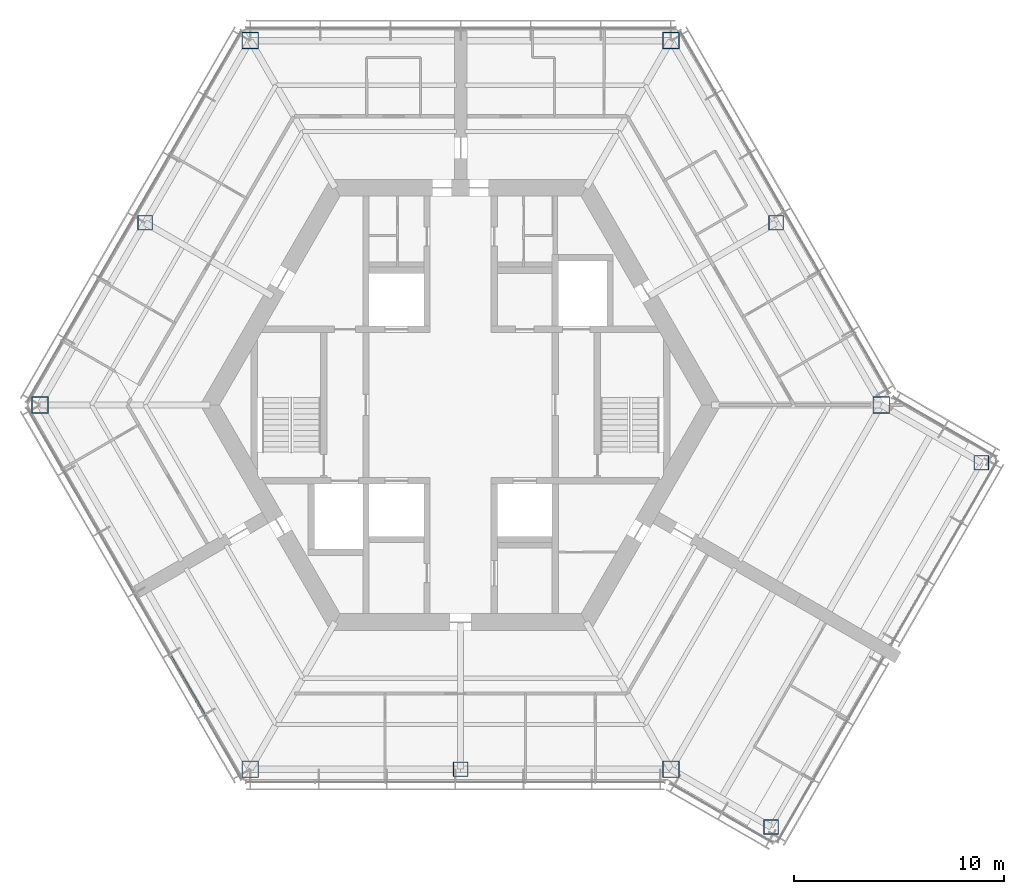
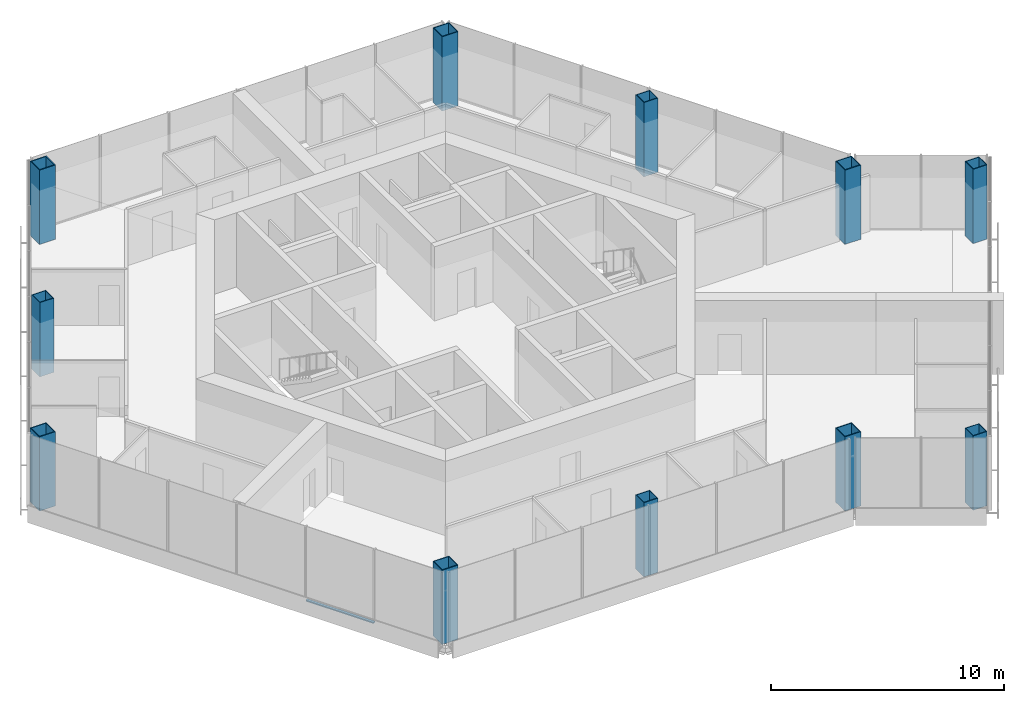
# One storey, part 1 of 13: 11 columns, 1 member, 1 element without a shape of its own.
"""IFC4 building model written with IfcOpenShell, lengths in metres."""

from ifc_helpers import new_model, si_unit, direction, frame, origin, origin_2d, place, context, subcontext, project, spatial, rectangle, hollow_rectangle, extrude, material, material_profile, profile_set, type_object, element, aggregate, save


model = new_model("IFC4")

# Units and contexts
model_context = context("Model", 3, precision=1e-05, world=origin(), true_north=direction((0.0, 1.0)))
body_context = subcontext(model_context, "Body", "Model", "MODEL_VIEW")
ifc_project = project(units=[si_unit("LENGTHUNIT", "METRE"), si_unit("AREAUNIT", "SQUARE_METRE"), si_unit("VOLUMEUNIT", "CUBIC_METRE"), si_unit("PLANEANGLEUNIT", "RADIAN"), si_unit("MASSUNIT", "GRAM", prefix="KILO")], contexts=[model_context])

# Site, building, storey
site_placement = place(None, origin())
site = spatial("IfcSite", under=ifc_project, at=site_placement, CompositionType="ELEMENT")
building_placement = place(site_placement, origin())
building = spatial("IfcBuilding", under=site, at=building_placement, Name="Kasaneha Research Tower", CompositionType="ELEMENT")
storey_placement = place(building_placement, frame((0.0, 0.0, 275.199951171875)))
storey = spatial("IfcBuildingStorey", under=building, at=storey_placement, Name="L69", CompositionType="ELEMENT", Elevation=275.199951171875)

# Columns
ifc_material_1 = material(Name="Steel SN490C", Category="steel")
ifc_material_profile_1 = material_profile(ifc_material_1, hollow_rectangle(XDim=0.800048828125, YDim=0.800048828125, WallThickness=0.0400390625, at=origin_2d()), Name="BOX-800x800x40")
ifc_profile_set_1 = profile_set([ifc_material_profile_1], Name="Steel SN490C")
column_type_1 = type_object("IfcColumnType", Name="C4A column BOX-800x800x40", PredefinedType="COLUMN", material=ifc_profile_set_1)
for number, where, z_axis, x_axis, name in (
    (1, (20.0, 0.0, 0.0), (0.0, 0.0, 1.0), (1.0, 0.0, 0.0), "Column V0 L69"),
    (2, (10.0, 17.320556640625, 0.0), (0.0, 0.0, 1.0), (1.0, 0.0, 0.0), "Column V1 L69"),
    (3, (-10.0, 17.320556640625, 0.0), (0.0, 0.0, 1.0), (1.0, 0.0, 0.0), "Column V2 L69"),
    (4, (-20.0, 0.0, 0.0), (0.0, 0.0, 1.0), (1.0, 0.0, 0.0), "Column V3 L69"),
    (5, (-10.0, -17.320556640625, 0.0), (0.0, 0.0, 1.0), (1.0, 0.0, 0.0), "Column V4 L69"),
    (6, (10.0, -17.320556640625, 0.0), (0.0, 0.0, 1.0), (1.0, 0.0, 0.0), "Column V5 L69"),
):
    element("IfcColumn", number, at=place(storey_placement, frame(where, z_axis=z_axis, x_axis=x_axis)), inside=storey, type_object=column_type_1, Name=name, PredefinedType="COLUMN", context=body_context, shape_type="SweptSolid", body=[
        extrude(hollow_rectangle(XDim=0.800048828125, YDim=0.800048828125, WallThickness=0.0400390625, at=origin_2d()), origin(), (0.0, 0.0, 1.0), 3.900146484375),
    ])
ifc_material_2 = material(Name="Steel SN490C", Category="steel")
ifc_material_profile_2 = material_profile(ifc_material_2, hollow_rectangle(XDim=0.699951171875, YDim=0.699951171875, WallThickness=0.031982421875, at=origin_2d()), Name="BOX-700x700x32")
ifc_profile_set_2 = profile_set([ifc_material_profile_2], Name="Steel SN490C")
column_type_2 = type_object("IfcColumnType", Name="C4B column BOX-700x700x32", PredefinedType="COLUMN", material=ifc_profile_set_2)
for number, where, z_axis, x_axis, name in (
    (7, (15.0, 8.66015625, 0.0), (0.0, 0.0, 1.0), (1.0, 0.0, 0.0), "Column M030 L69"),
    (8, (-15.0, 8.66015625, 0.0), (0.0, 0.0, 1.0), (1.0, 0.0, 0.0), "Column M150 L69"),
    (9, (0.0, -17.320556640625, 0.0), (0.0, 0.0, 1.0), (1.0, 0.0, 0.0), "Column M270 L69"),
    (10, (14.76318359375, -20.070556640625, 0.0), (0.0, 0.0, 1.0), (1.0, 0.0, 0.0), "Column CSP L69"),
    (11, (24.76318359375, -2.75, 0.0), (0.0, 0.0, 1.0), (1.0, 0.0, 0.0), "Column CSN L69"),
):
    element("IfcColumn", number, at=place(storey_placement, frame(where, z_axis=z_axis, x_axis=x_axis)), inside=storey, type_object=column_type_2, Name=name, PredefinedType="COLUMN", context=body_context, shape_type="SweptSolid", body=[
        extrude(hollow_rectangle(XDim=0.699951171875, YDim=0.699951171875, WallThickness=0.031982421875, at=origin_2d()), origin(), (0.0, 0.0, 1.0), 3.900146484375),
    ])

# Curtain wall, member
ifc_material_3 = material(Name="Glass and aluminium", Category="aluminium")
curtain_wall_type = type_object("IfcCurtainWallType", Name="Crown curtain wall", PredefinedType="USERDEFINED", material=ifc_material_3)
curtain_wall_placement = place(storey_placement, origin())
curtain_wall = element("IfcCurtainWall", 12, at=curtain_wall_placement, inside=storey, type_object=curtain_wall_type, Name="CW-C L69 run 04a", ObjectType="UNITISED CURTAIN WALL", PredefinedType="USERDEFINED")
ifc_material_4 = material(Name="Aluminium 6063-T6", Category="aluminium")
ifc_material_profile_3 = material_profile(ifc_material_4, rectangle(XDim=0.1298828125, YDim=0.06005859375, at=origin_2d()), Name="CW-C transom 130x60")
ifc_profile_set_3 = profile_set([ifc_material_profile_3], Name="Aluminium 6063-T6")
member_type = type_object("IfcMemberType", Name="CW-C transom", PredefinedType="USERDEFINED", material=ifc_profile_set_3)
member_placement = place(storey_placement, frame((-13.796875, -11.944091796875, 0.030029296875), z_axis=(0.499989072476, -0.866031712701, 0.0), x_axis=(0.866031712701, 0.499989072476, 0.0)))
member = element("IfcMember", 13, at=member_placement, type_object=member_type, Name="CW-C transom 5", ObjectType="TRANSOM", PredefinedType="USERDEFINED", context=body_context, shape_type="SweptSolid", body=[
    extrude(rectangle(XDim=0.1298828125, YDim=0.06005859375, at=origin_2d()), origin(), (0.0, 0.0, 1.0), 3.35546875),
])
aggregate(curtain_wall, [member])

save(model, "model.ifc")
